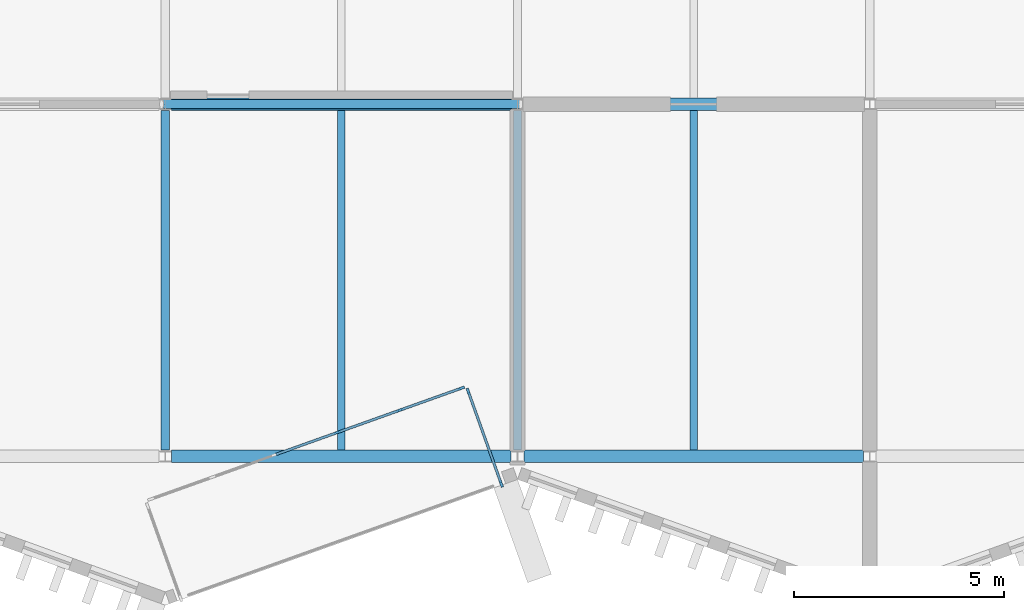
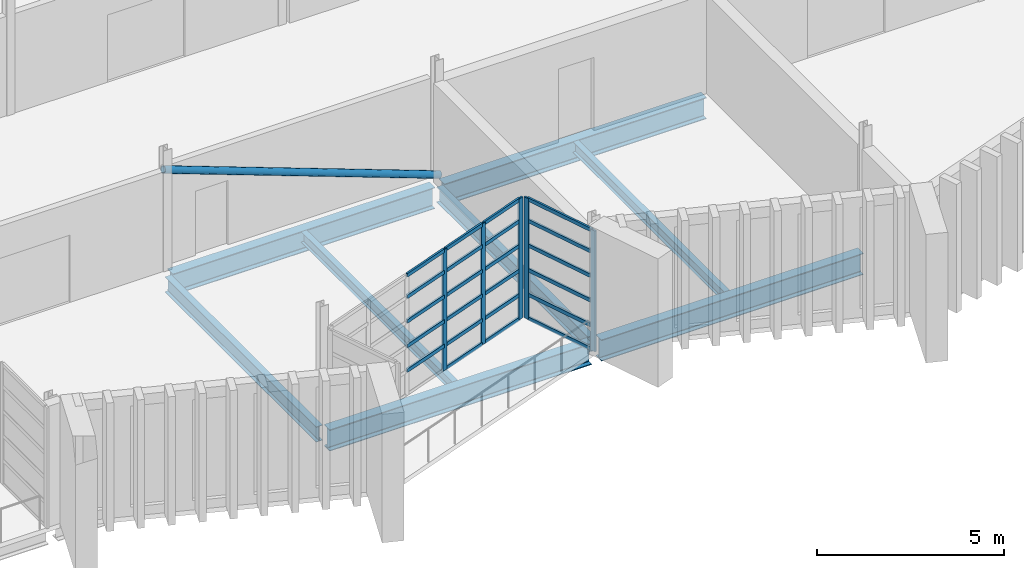
# One storey, part 15 of 88: 29 members, 8 beams, 2 elements without a shape of their own.
"""IFC4 building model written with IfcOpenShell, lengths in metres."""

from ifc_helpers import new_model, si_unit, direction, frame, origin, origin_2d, place, context, subcontext, project, spatial, rectangle, hollow_circle, i_section, extrude, material, layer, layer_set, material_profile, profile_set, type_object, element, aggregate, save


model = new_model("IFC4")

# Units and contexts
model_context = context("Model", 3, precision=1e-05, world=origin(), true_north=direction((0.0, 1.0)))
body_context = subcontext(model_context, "Body", "Model", "MODEL_VIEW")
ifc_project = project(units=[si_unit("LENGTHUNIT", "METRE"), si_unit("AREAUNIT", "SQUARE_METRE"), si_unit("VOLUMEUNIT", "CUBIC_METRE"), si_unit("PLANEANGLEUNIT", "RADIAN"), si_unit("MASSUNIT", "GRAM", prefix="KILO")], contexts=[model_context])

# Site, building, storey
site_placement = place(None, origin())
site = spatial("IfcSite", under=ifc_project, at=site_placement, CompositionType="ELEMENT")
building_placement = place(site_placement, origin())
building = spatial("IfcBuilding", under=site, at=building_placement, Name="Cresset Court Congress Hotel", CompositionType="ELEMENT")
storey_placement = place(building_placement, frame((0.0, 0.0, 14.39990234375)))
storey = spatial("IfcBuildingStorey", under=building, at=storey_placement, Name="L03", CompositionType="ELEMENT", Elevation=14.39990234375)

# Curtain wall, members
ifc_material_1 = material(Name="Aluminium frame with double glazing", Category="aluminium")
ifc_layer = layer(ifc_material_1, 0.199951171875)
ifc_layer_set = layer_set([ifc_layer], Name="Glazed box curtain wall 1680 module")
curtain_wall_type = type_object("IfcCurtainWallType", Name="Glazed box curtain wall 1680 module", PredefinedType="NOTDEFINED", material=ifc_layer_set)
curtain_wall_1_placement = place(storey_placement, origin())
curtain_wall_1 = element("IfcCurtainWall", 1, at=curtain_wall_1_placement, inside=storey, type_object=curtain_wall_type, Name="Glazed box S0305 front", PredefinedType="NOTDEFINED")
ifc_material_2 = material(Name="Aluminium", Category="aluminium")
ifc_material_profile_1 = material_profile(ifc_material_2, rectangle(XDim=0.06005859375, YDim=0.159912109375, at=origin_2d()), Name="Box mullion 60x160")
ifc_profile_set_1 = profile_set([ifc_material_profile_1], Name="Aluminium")
member_type_1 = type_object("IfcMemberType", Name="Box mullion 60x160", PredefinedType="MULLION", material=ifc_profile_set_1)
member_1_placement = place(storey_placement, frame((29.304931640625, 0.57080078125, 0.0), z_axis=(0.0, 0.0, 1.0), x_axis=(-0.336336396981, 0.941741911601, 0.0)))
member_1 = element("IfcMember", 2, at=member_1_placement, type_object=member_type_1, Name="B-X1 mullion 4", PredefinedType="MULLION", context=body_context, shape_type="SweptSolid", body=[
    extrude(rectangle(XDim=0.06005859375, YDim=0.159912109375, at=origin_2d()), origin(), (0.0, 0.0, 1.0), 3.9501953125),
])
member_2_placement = place(storey_placement, frame((30.796630859375, 1.103515625, 0.0), z_axis=(0.0, 0.0, 1.0), x_axis=(-0.336336396981, 0.941741911601, 0.0)))
member_2 = element("IfcMember", 3, at=member_2_placement, type_object=member_type_1, Name="B-X1 mullion 5", PredefinedType="MULLION", context=body_context, shape_type="SweptSolid", body=[
    extrude(rectangle(XDim=0.06005859375, YDim=0.159912109375, at=origin_2d()), origin(), (0.0, 0.0, 1.0), 3.9501953125),
])
member_3_placement = place(storey_placement, frame((32.260009765625, 1.6259765625, 0.0), z_axis=(0.0, 0.0, 1.0), x_axis=(-0.336336396981, 0.941741911601, 0.0)))
member_3 = element("IfcMember", 4, at=member_3_placement, type_object=member_type_1, Name="B-X1 mullion 6", PredefinedType="MULLION", context=body_context, shape_type="SweptSolid", body=[
    extrude(rectangle(XDim=0.06005859375, YDim=0.159912109375, at=origin_2d()), origin(), (0.0, 0.0, 1.0), 3.9501953125),
])

curtain_wall_2_placement = place(storey_placement, origin())
curtain_wall_2 = element("IfcCurtainWall", 5, at=curtain_wall_2_placement, inside=storey, type_object=curtain_wall_type, Name="Glazed box S0305 side", PredefinedType="NOTDEFINED")
member_4_placement = place(storey_placement, frame((33.213134765625, -0.65625, 0.0), z_axis=(0.0, 0.0, 1.0), x_axis=(-0.941741911707, -0.336336396685, 0.0)))
member_4 = element("IfcMember", 6, at=member_4_placement, type_object=member_type_1, Name="B-X1 mullion 1", PredefinedType="MULLION", context=body_context, shape_type="SweptSolid", body=[
    extrude(rectangle(XDim=0.06005859375, YDim=0.159912109375, at=origin_2d()), origin(), (0.0, 0.0, 1.0), 3.9501953125),
])
member_5_placement = place(storey_placement, frame((32.42626953125, 1.54736328125, 0.0), z_axis=(0.0, 0.0, 1.0), x_axis=(-0.941741911707, -0.336336396685, 0.0)))
member_5 = element("IfcMember", 7, at=member_5_placement, type_object=member_type_1, Name="B-X1 mullion 2", PredefinedType="MULLION", context=body_context, shape_type="SweptSolid", body=[
    extrude(rectangle(XDim=0.06005859375, YDim=0.159912109375, at=origin_2d()), origin(), (0.0, 0.0, 1.0), 3.9501953125),
])

# Member
ifc_material_3 = material(Name="Aluminium", Category="aluminium")
ifc_material_profile_2 = material_profile(ifc_material_3, rectangle(XDim=0.06005859375, YDim=0.1201171875, at=origin_2d()), Name="Box transom 60x120")
ifc_profile_set_2 = profile_set([ifc_material_profile_2], Name="Aluminium")
member_type_2 = type_object("IfcMemberType", Name="Box transom 60x120", PredefinedType="USERDEFINED", material=ifc_profile_set_2)
member_6_placement = place(storey_placement, frame((27.841552734375, 0.048095703125, 0.80517578125), z_axis=(0.941756410009, 0.336295798675, 0.0), x_axis=(-0.336295798675, 0.941756410009, 0.0)))
member_6 = element("IfcMember", 8, at=member_6_placement, type_object=member_type_2, Name="B-X1 transom 3.2", ObjectType="TRANSOM", PredefinedType="USERDEFINED", context=body_context, shape_type="SweptSolid", body=[
    extrude(rectangle(XDim=0.06005859375, YDim=0.1201171875, at=origin_2d()), origin(), (0.0, 0.0, 1.0), 1.52392578125),
])

member_7_placement = place(storey_placement, frame((27.841552734375, 0.048095703125, 1.610107421875), z_axis=(0.941756410009, 0.336295798675, 0.0), x_axis=(-0.336295798675, 0.941756410009, 0.0)))
member_7 = element("IfcMember", 9, at=member_7_placement, type_object=member_type_2, Name="B-X1 transom 3.3", ObjectType="TRANSOM", PredefinedType="USERDEFINED", context=body_context, shape_type="SweptSolid", body=[
    extrude(rectangle(XDim=0.06005859375, YDim=0.1201171875, at=origin_2d()), origin(), (0.0, 0.0, 1.0), 1.52392578125),
])

member_8_placement = place(storey_placement, frame((27.841552734375, 0.048095703125, 2.4150390625), z_axis=(0.941756410009, 0.336295798675, 0.0), x_axis=(-0.336295798675, 0.941756410009, 0.0)))
member_8 = element("IfcMember", 10, at=member_8_placement, type_object=member_type_2, Name="B-X1 transom 3.4", ObjectType="TRANSOM", PredefinedType="USERDEFINED", context=body_context, shape_type="SweptSolid", body=[
    extrude(rectangle(XDim=0.06005859375, YDim=0.1201171875, at=origin_2d()), origin(), (0.0, 0.0, 1.0), 1.52392578125),
])

member_9_placement = place(storey_placement, frame((27.841552734375, 0.048095703125, 3.22021484375), z_axis=(0.941756410009, 0.336295798675, 0.0), x_axis=(-0.336295798675, 0.941756410009, 0.0)))
member_9 = element("IfcMember", 11, at=member_9_placement, type_object=member_type_2, Name="B-X1 transom 3.5", ObjectType="TRANSOM", PredefinedType="USERDEFINED", context=body_context, shape_type="SweptSolid", body=[
    extrude(rectangle(XDim=0.06005859375, YDim=0.1201171875, at=origin_2d()), origin(), (0.0, 0.0, 1.0), 1.52392578125),
])

member_10_placement = place(storey_placement, frame((27.841552734375, 0.048095703125, 3.920166015625), z_axis=(0.941756410009, 0.336295798675, 0.0), x_axis=(-0.336295798675, 0.941756410009, 0.0)))
member_10 = element("IfcMember", 12, at=member_10_placement, type_object=member_type_2, Name="B-X1 transom 3.6", ObjectType="TRANSOM", PredefinedType="USERDEFINED", context=body_context, shape_type="SweptSolid", body=[
    extrude(rectangle(XDim=0.06005859375, YDim=0.1201171875, at=origin_2d()), origin(), (0.0, 0.0, 1.0), 1.52392578125),
])

member_11_placement = place(storey_placement, frame((29.333251953125, 0.580810546875, 0.030029296875), z_axis=(0.941756410009, 0.336295798675, 0.0), x_axis=(-0.336295798675, 0.941756410009, 0.0)))
member_11 = element("IfcMember", 13, at=member_11_placement, type_object=member_type_2, Name="B-X1 transom 4.1", ObjectType="TRANSOM", PredefinedType="USERDEFINED", context=body_context, shape_type="SweptSolid", body=[
    extrude(rectangle(XDim=0.06005859375, YDim=0.1201171875, at=origin_2d()), origin(), (0.0, 0.0, 1.0), 1.52392578125),
])

member_12_placement = place(storey_placement, frame((29.333251953125, 0.580810546875, 0.80517578125), z_axis=(0.941756410009, 0.336295798675, 0.0), x_axis=(-0.336295798675, 0.941756410009, 0.0)))
member_12 = element("IfcMember", 14, at=member_12_placement, type_object=member_type_2, Name="B-X1 transom 4.2", ObjectType="TRANSOM", PredefinedType="USERDEFINED", context=body_context, shape_type="SweptSolid", body=[
    extrude(rectangle(XDim=0.06005859375, YDim=0.1201171875, at=origin_2d()), origin(), (0.0, 0.0, 1.0), 1.52392578125),
])

member_13_placement = place(storey_placement, frame((29.333251953125, 0.580810546875, 1.610107421875), z_axis=(0.941756410009, 0.336295798675, 0.0), x_axis=(-0.336295798675, 0.941756410009, 0.0)))
member_13 = element("IfcMember", 15, at=member_13_placement, type_object=member_type_2, Name="B-X1 transom 4.3", ObjectType="TRANSOM", PredefinedType="USERDEFINED", context=body_context, shape_type="SweptSolid", body=[
    extrude(rectangle(XDim=0.06005859375, YDim=0.1201171875, at=origin_2d()), origin(), (0.0, 0.0, 1.0), 1.52392578125),
])

member_14_placement = place(storey_placement, frame((29.333251953125, 0.580810546875, 2.4150390625), z_axis=(0.941756410009, 0.336295798675, 0.0), x_axis=(-0.336295798675, 0.941756410009, 0.0)))
member_14 = element("IfcMember", 16, at=member_14_placement, type_object=member_type_2, Name="B-X1 transom 4.4", ObjectType="TRANSOM", PredefinedType="USERDEFINED", context=body_context, shape_type="SweptSolid", body=[
    extrude(rectangle(XDim=0.06005859375, YDim=0.1201171875, at=origin_2d()), origin(), (0.0, 0.0, 1.0), 1.52392578125),
])

member_15_placement = place(storey_placement, frame((29.333251953125, 0.580810546875, 3.22021484375), z_axis=(0.941756410009, 0.336295798675, 0.0), x_axis=(-0.336295798675, 0.941756410009, 0.0)))
member_15 = element("IfcMember", 17, at=member_15_placement, type_object=member_type_2, Name="B-X1 transom 4.5", ObjectType="TRANSOM", PredefinedType="USERDEFINED", context=body_context, shape_type="SweptSolid", body=[
    extrude(rectangle(XDim=0.06005859375, YDim=0.1201171875, at=origin_2d()), origin(), (0.0, 0.0, 1.0), 1.52392578125),
])

member_16_placement = place(storey_placement, frame((29.333251953125, 0.580810546875, 3.920166015625), z_axis=(0.941756410009, 0.336295798675, 0.0), x_axis=(-0.336295798675, 0.941756410009, 0.0)))
member_16 = element("IfcMember", 18, at=member_16_placement, type_object=member_type_2, Name="B-X1 transom 4.6", ObjectType="TRANSOM", PredefinedType="USERDEFINED", context=body_context, shape_type="SweptSolid", body=[
    extrude(rectangle(XDim=0.06005859375, YDim=0.1201171875, at=origin_2d()), origin(), (0.0, 0.0, 1.0), 1.52392578125),
])

member_17_placement = place(storey_placement, frame((30.824951171875, 1.113525390625, 0.030029296875), z_axis=(0.941734515945, 0.336357104098, 0.0), x_axis=(-0.336357104098, 0.941734515945, 0.0)))
member_17 = element("IfcMember", 19, at=member_17_placement, type_object=member_type_2, Name="B-X1 transom 5.1", ObjectType="TRANSOM", PredefinedType="USERDEFINED", context=body_context, shape_type="SweptSolid", body=[
    extrude(rectangle(XDim=0.06005859375, YDim=0.1201171875, at=origin_2d()), origin(), (0.0, 0.0, 1.0), 1.49365234375),
])

member_18_placement = place(storey_placement, frame((30.824951171875, 1.113525390625, 0.80517578125), z_axis=(0.941734515945, 0.336357104098, 0.0), x_axis=(-0.336357104098, 0.941734515945, 0.0)))
member_18 = element("IfcMember", 20, at=member_18_placement, type_object=member_type_2, Name="B-X1 transom 5.2", ObjectType="TRANSOM", PredefinedType="USERDEFINED", context=body_context, shape_type="SweptSolid", body=[
    extrude(rectangle(XDim=0.06005859375, YDim=0.1201171875, at=origin_2d()), origin(), (0.0, 0.0, 1.0), 1.49365234375),
])

member_19_placement = place(storey_placement, frame((30.824951171875, 1.113525390625, 1.610107421875), z_axis=(0.941734515945, 0.336357104098, 0.0), x_axis=(-0.336357104098, 0.941734515945, 0.0)))
member_19 = element("IfcMember", 21, at=member_19_placement, type_object=member_type_2, Name="B-X1 transom 5.3", ObjectType="TRANSOM", PredefinedType="USERDEFINED", context=body_context, shape_type="SweptSolid", body=[
    extrude(rectangle(XDim=0.06005859375, YDim=0.1201171875, at=origin_2d()), origin(), (0.0, 0.0, 1.0), 1.49365234375),
])

member_20_placement = place(storey_placement, frame((30.824951171875, 1.113525390625, 2.4150390625), z_axis=(0.941734515945, 0.336357104098, 0.0), x_axis=(-0.336357104098, 0.941734515945, 0.0)))
member_20 = element("IfcMember", 22, at=member_20_placement, type_object=member_type_2, Name="B-X1 transom 5.4", ObjectType="TRANSOM", PredefinedType="USERDEFINED", context=body_context, shape_type="SweptSolid", body=[
    extrude(rectangle(XDim=0.06005859375, YDim=0.1201171875, at=origin_2d()), origin(), (0.0, 0.0, 1.0), 1.49365234375),
])

member_21_placement = place(storey_placement, frame((30.824951171875, 1.113525390625, 3.22021484375), z_axis=(0.941734515945, 0.336357104098, 0.0), x_axis=(-0.336357104098, 0.941734515945, 0.0)))
member_21 = element("IfcMember", 23, at=member_21_placement, type_object=member_type_2, Name="B-X1 transom 5.5", ObjectType="TRANSOM", PredefinedType="USERDEFINED", context=body_context, shape_type="SweptSolid", body=[
    extrude(rectangle(XDim=0.06005859375, YDim=0.1201171875, at=origin_2d()), origin(), (0.0, 0.0, 1.0), 1.49365234375),
])

member_22_placement = place(storey_placement, frame((30.824951171875, 1.113525390625, 3.920166015625), z_axis=(0.941734515945, 0.336357104098, 0.0), x_axis=(-0.336357104098, 0.941734515945, 0.0)))
member_22 = element("IfcMember", 24, at=member_22_placement, type_object=member_type_2, Name="B-X1 transom 5.6", ObjectType="TRANSOM", PredefinedType="USERDEFINED", context=body_context, shape_type="SweptSolid", body=[
    extrude(rectangle(XDim=0.06005859375, YDim=0.1201171875, at=origin_2d()), origin(), (0.0, 0.0, 1.0), 1.49365234375),
])

aggregate(curtain_wall_1, [member_1, member_2, member_3, member_6, member_7, member_8, member_9, member_10, member_11, member_12, member_13, member_14, member_15, member_16, member_17, member_18, member_19, member_20, member_21, member_22])

member_23_placement = place(storey_placement, frame((33.203125, -0.6279296875, 0.030029296875), z_axis=(-0.336363532289, 0.941732219979, 0.0), x_axis=(-0.941732219979, -0.336363532289, 0.0)))
member_23 = element("IfcMember", 25, at=member_23_placement, type_object=member_type_2, Name="B-X1 transom 1.1", ObjectType="TRANSOM", PredefinedType="USERDEFINED", context=body_context, shape_type="SweptSolid", body=[
    extrude(rectangle(XDim=0.06005859375, YDim=0.1201171875, at=origin_2d()), origin(), (0.0, 0.0, 1.0), 2.27978515625),
])

member_24_placement = place(storey_placement, frame((33.203125, -0.6279296875, 0.80517578125), z_axis=(-0.336363532289, 0.941732219979, 0.0), x_axis=(-0.941732219979, -0.336363532289, 0.0)))
member_24 = element("IfcMember", 26, at=member_24_placement, type_object=member_type_2, Name="B-X1 transom 1.2", ObjectType="TRANSOM", PredefinedType="USERDEFINED", context=body_context, shape_type="SweptSolid", body=[
    extrude(rectangle(XDim=0.06005859375, YDim=0.1201171875, at=origin_2d()), origin(), (0.0, 0.0, 1.0), 2.27978515625),
])

member_25_placement = place(storey_placement, frame((33.203125, -0.6279296875, 1.610107421875), z_axis=(-0.336363532289, 0.941732219979, 0.0), x_axis=(-0.941732219979, -0.336363532289, 0.0)))
member_25 = element("IfcMember", 27, at=member_25_placement, type_object=member_type_2, Name="B-X1 transom 1.3", ObjectType="TRANSOM", PredefinedType="USERDEFINED", context=body_context, shape_type="SweptSolid", body=[
    extrude(rectangle(XDim=0.06005859375, YDim=0.1201171875, at=origin_2d()), origin(), (0.0, 0.0, 1.0), 2.27978515625),
])

member_26_placement = place(storey_placement, frame((33.203125, -0.6279296875, 2.4150390625), z_axis=(-0.336363532289, 0.941732219979, 0.0), x_axis=(-0.941732219979, -0.336363532289, 0.0)))
member_26 = element("IfcMember", 28, at=member_26_placement, type_object=member_type_2, Name="B-X1 transom 1.4", ObjectType="TRANSOM", PredefinedType="USERDEFINED", context=body_context, shape_type="SweptSolid", body=[
    extrude(rectangle(XDim=0.06005859375, YDim=0.1201171875, at=origin_2d()), origin(), (0.0, 0.0, 1.0), 2.27978515625),
])

member_27_placement = place(storey_placement, frame((33.203125, -0.6279296875, 3.22021484375), z_axis=(-0.336363532289, 0.941732219979, 0.0), x_axis=(-0.941732219979, -0.336363532289, 0.0)))
member_27 = element("IfcMember", 29, at=member_27_placement, type_object=member_type_2, Name="B-X1 transom 1.5", ObjectType="TRANSOM", PredefinedType="USERDEFINED", context=body_context, shape_type="SweptSolid", body=[
    extrude(rectangle(XDim=0.06005859375, YDim=0.1201171875, at=origin_2d()), origin(), (0.0, 0.0, 1.0), 2.27978515625),
])

member_28_placement = place(storey_placement, frame((33.203125, -0.6279296875, 3.920166015625), z_axis=(-0.336363532289, 0.941732219979, 0.0), x_axis=(-0.941732219979, -0.336363532289, 0.0)))
member_28 = element("IfcMember", 30, at=member_28_placement, type_object=member_type_2, Name="B-X1 transom 1.6", ObjectType="TRANSOM", PredefinedType="USERDEFINED", context=body_context, shape_type="SweptSolid", body=[
    extrude(rectangle(XDim=0.06005859375, YDim=0.1201171875, at=origin_2d()), origin(), (0.0, 0.0, 1.0), 2.27978515625),
])

aggregate(curtain_wall_2, [member_4, member_5, member_23, member_24, member_25, member_26, member_27, member_28])

# Beams
ifc_material_4 = material(Name="Structural steel Q355B", Category="steel")
ifc_material_profile_3 = material_profile(ifc_material_4, i_section(OverallWidth=0.199951171875, OverallDepth=0.5, WebThickness=0.010009765625, FlangeThickness=0.01611328125, FilletRadius=0.012939453125, at=origin_2d()), Name="HN500x200x10x16")
ifc_profile_set_3 = profile_set([ifc_material_profile_3], Name="Structural steel Q355B")
beam_type_1 = type_object("IfcBeamType", Name="Steel beam HN500x200x10x16", PredefinedType="BEAM", material=ifc_profile_set_3)
for number, where, z_axis, x_axis, name in (
    (31, (25.199951171875, 0.14990234375, -0.39990234375), (0.0, 1.0, 0.0), (-1.0, 0.0, 0.0), "B.by.L03.04A"),
    (32, (33.60009765625, 0.14990234375, -0.39990234375), (0.0, 1.0, 0.0), (-1.0, 0.0, 0.0), "B.by.L03.05A"),
):
    element("IfcBeam", number, at=place(storey_placement, frame(where, z_axis=z_axis, x_axis=x_axis)), inside=storey, type_object=beam_type_1, Name=name, PredefinedType="BEAM", context=body_context, shape_type="SweptSolid", body=[
        extrude(i_section(OverallWidth=0.199951171875, OverallDepth=0.5, WebThickness=0.010009765625, FlangeThickness=0.01611328125, FilletRadius=0.012939453125, at=origin_2d()), origin(), (0.0, 0.0, 1.0), 8.10009765625),
    ])
ifc_material_5 = material(Name="Structural steel Q355B", Category="steel")
ifc_material_profile_4 = material_profile(ifc_material_5, i_section(OverallWidth=0.300048828125, OverallDepth=0.699951171875, WebThickness=0.012939453125, FlangeThickness=0.02392578125, FilletRadius=0.01806640625, at=origin_2d()), Name="HN700x300x13x24")
ifc_profile_set_4 = profile_set([ifc_material_profile_4], Name="Structural steel Q355B")
beam_type_2 = type_object("IfcBeamType", Name="Steel beam HN700x300x13x24", PredefinedType="BEAM", material=ifc_profile_set_4)
beam_1_placement = place(storey_placement, frame((25.35009765625, 0.0, -0.5), z_axis=(1.0, 0.0, 0.0), x_axis=(0.0, 1.0, 0.0)))
element("IfcBeam", 33, at=beam_1_placement, inside=storey, type_object=beam_type_2, Name="B.bx.L03.A04", PredefinedType="BEAM", context=body_context, shape_type="SweptSolid", body=[
    extrude(i_section(OverallWidth=0.300048828125, OverallDepth=0.699951171875, WebThickness=0.012939453125, FlangeThickness=0.02392578125, FilletRadius=0.01806640625, at=origin_2d()), origin(), (0.0, 0.0, 1.0), 8.099853515625),
])
beam_2_placement = place(storey_placement, frame((33.75, 0.0, -0.5), z_axis=(1.0, 0.0, 0.0), x_axis=(0.0, 1.0, 0.0)))
element("IfcBeam", 34, at=beam_2_placement, inside=storey, type_object=beam_type_2, Name="B.bx.L03.A05", PredefinedType="BEAM", context=body_context, shape_type="SweptSolid", body=[
    extrude(i_section(OverallWidth=0.300048828125, OverallDepth=0.699951171875, WebThickness=0.012939453125, FlangeThickness=0.02392578125, FilletRadius=0.01806640625, at=origin_2d()), origin(), (0.0, 0.0, 1.0), 8.10009765625),
])
beam_3_placement = place(storey_placement, frame((25.35009765625, 8.39990234375, -0.5), z_axis=(1.0, 0.0, 0.0), x_axis=(0.0, 1.0, 0.0)))
element("IfcBeam", 35, at=beam_3_placement, inside=storey, type_object=beam_type_2, Name="B.bx.L03.B04", PredefinedType="BEAM", context=body_context, shape_type="SweptSolid", body=[
    extrude(i_section(OverallWidth=0.300048828125, OverallDepth=0.699951171875, WebThickness=0.012939453125, FlangeThickness=0.02392578125, FilletRadius=0.01806640625, at=origin_2d()), origin(), (0.0, 0.0, 1.0), 8.099853515625),
])
beam_4_placement = place(storey_placement, frame((33.75, 8.39990234375, -0.5), z_axis=(1.0, 0.0, 0.0), x_axis=(0.0, 1.0, 0.0)))
element("IfcBeam", 36, at=beam_4_placement, inside=storey, type_object=beam_type_2, Name="B.bx.L03.B05", PredefinedType="BEAM", context=body_context, shape_type="SweptSolid", body=[
    extrude(i_section(OverallWidth=0.300048828125, OverallDepth=0.699951171875, WebThickness=0.012939453125, FlangeThickness=0.02392578125, FilletRadius=0.01806640625, at=origin_2d()), origin(), (0.0, 0.0, 1.0), 8.10009765625),
])

# Member
ifc_material_6 = material(Name="Structural steel Q355B", Category="steel")
ifc_material_profile_5 = material_profile(ifc_material_6, hollow_circle(Radius=0.109619140625, WallThickness=0.010009765625, at=origin_2d()), Name="CHS219x10")
ifc_profile_set_5 = profile_set([ifc_material_profile_5], Name="Structural steel Q355B")
member_type_3 = type_object("IfcMemberType", Name="Steel brace CHS219x10", PredefinedType="BRACE", material=ifc_profile_set_5)
member_29_placement = place(storey_placement, frame((25.125, 8.39990234375, 3.260009765625), z_axis=(0.937990522981, 0.0, -0.346660898859), x_axis=(0.0, 1.0, 0.0)))
element("IfcMember", 37, at=member_29_placement, inside=storey, type_object=member_type_3, Name="Brace L03 4", PredefinedType="BRACE", context=body_context, shape_type="SweptSolid", body=[
    extrude(hollow_circle(Radius=0.109619140625, WallThickness=0.010009765625, at=origin_2d()), origin(), (0.0, 0.0, 1.0), 9.115234375),
])

# Beams
ifc_material_7 = material(Name="Structural steel Q355B", Category="steel")
ifc_material_profile_6 = material_profile(ifc_material_7, i_section(OverallWidth=0.175048828125, OverallDepth=0.35009765625, WebThickness=0.007080078125, FlangeThickness=0.010986328125, FilletRadius=0.012939453125, at=origin_2d()), Name="HN350x175x7x11")
ifc_profile_set_6 = profile_set([ifc_material_profile_6], Name="Structural steel Q355B")
beam_type_3 = type_object("IfcBeamType", Name="Steel joist HN350x175x7x11", PredefinedType="JOIST", material=ifc_profile_set_6)
for number, where, z_axis, x_axis, name in (
    (38, (29.39990234375, 0.14990234375, -0.324951171875), (0.0, 1.0, 0.0), (-1.0, 0.0, 0.0), "B.bj.L03.04A"),
    (39, (37.800048828125, 0.14990234375, -0.324951171875), (0.0, 1.0, 0.0), (-1.0, 0.0, 0.0), "B.bj.L03.05A"),
):
    element("IfcBeam", number, at=place(storey_placement, frame(where, z_axis=z_axis, x_axis=x_axis)), inside=storey, type_object=beam_type_3, Name=name, PredefinedType="JOIST", context=body_context, shape_type="SweptSolid", body=[
        extrude(i_section(OverallWidth=0.175048828125, OverallDepth=0.35009765625, WebThickness=0.007080078125, FlangeThickness=0.010986328125, FilletRadius=0.012939453125, at=origin_2d()), origin(), (0.0, 0.0, 1.0), 8.10009765625),
    ])

save(model, "model.ifc")
